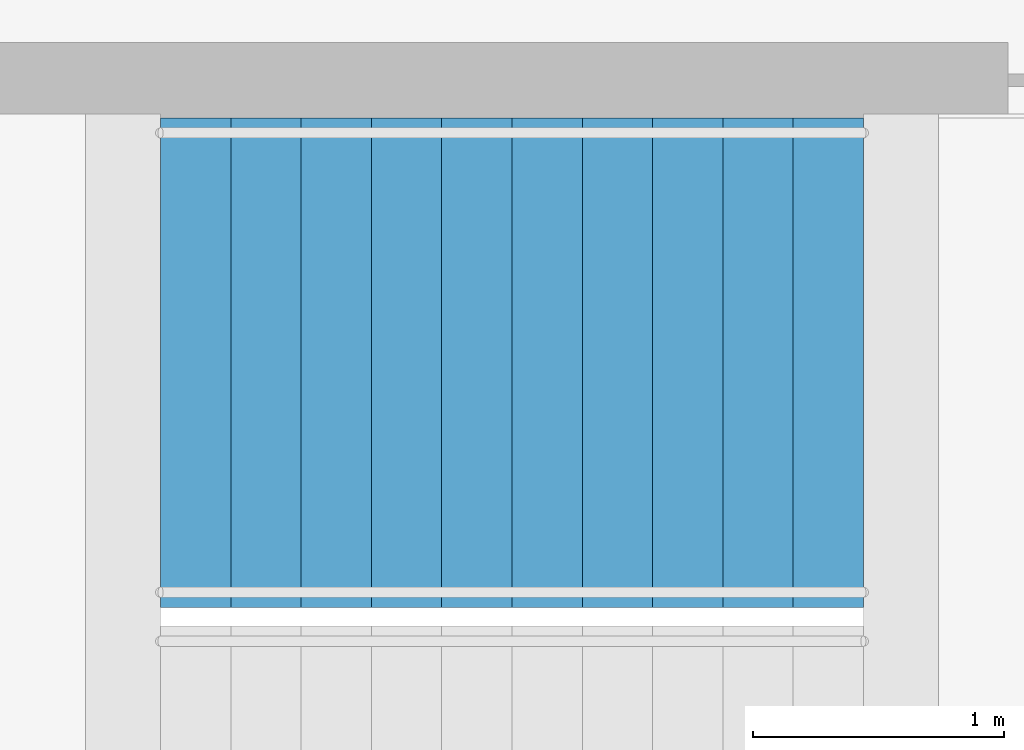
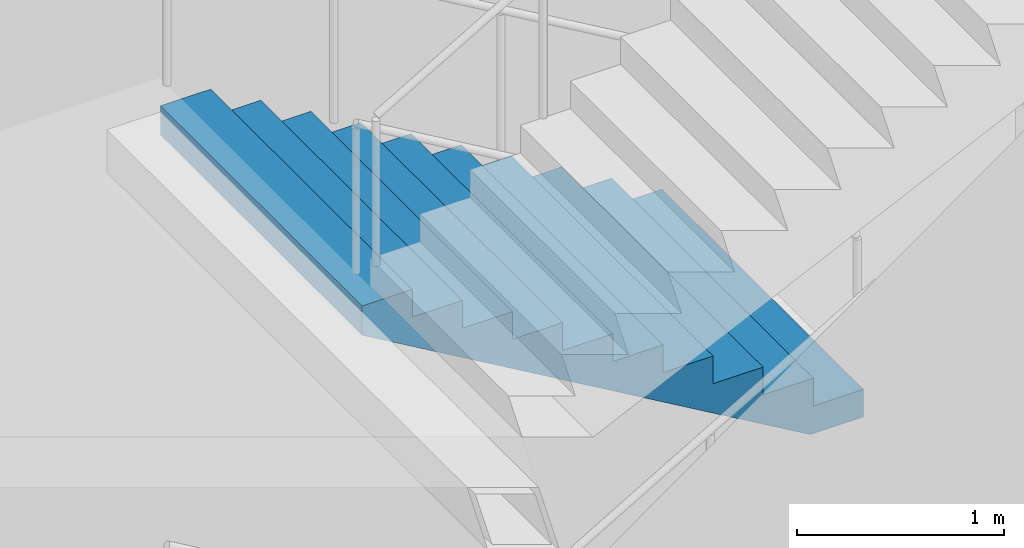
# One storey, part 21 of 22: 1 stair flight, 1 element without a shape of its own.
"""IFC4 building model written with IfcOpenShell, lengths in metres."""

from ifc_helpers import new_model, si_unit, direction, frame, origin, place, context, subcontext, project, spatial, triangles, material, type_object, element, aggregate, save


model = new_model("IFC4")

# Units and contexts
model_context = context("Model", 3, precision=1e-05, world=origin(), true_north=direction((0.0, 1.0)))
body_context = subcontext(model_context, "Body", "Model", "MODEL_VIEW")
ifc_project = project(units=[si_unit("LENGTHUNIT", "METRE"), si_unit("AREAUNIT", "SQUARE_METRE"), si_unit("VOLUMEUNIT", "CUBIC_METRE"), si_unit("PLANEANGLEUNIT", "RADIAN"), si_unit("MASSUNIT", "GRAM", prefix="KILO")], contexts=[model_context])

# Site, building, storey
site_placement = place(None, origin())
site = spatial("IfcSite", under=ifc_project, at=site_placement, CompositionType="ELEMENT")
building_placement = place(site_placement, origin())
building = spatial("IfcBuilding", under=site, at=building_placement, Name="Orbita Commons", CompositionType="ELEMENT")
storey_placement = place(building_placement, frame((0.0, 0.0, 133.14990234375)))
storey = spatial("IfcBuildingStorey", under=building, at=storey_placement, Name="L33", CompositionType="ELEMENT", Elevation=133.14990234375)

# Stair, stair flight
ifc_material_1 = material(Name="Precast concrete C40/50", Category="concrete")
stair_type = type_object("IfcStairType", Name="Exit stair S2 4 flights 11 risers 164", PredefinedType="HALF_TURN_STAIR", material=ifc_material_1)
stair_placement = place(storey_placement, origin())
stair = element("IfcStair", 1, at=stair_placement, inside=storey, type_object=stair_type, Name="Exit stair S2 L33", PredefinedType="HALF_TURN_STAIR")
ifc_material_2 = material(Name="Precast concrete C40/50", Category="concrete")
stair_flight_type = type_object("IfcStairFlightType", Name="Stair flight 11 risers 164 x 280", PredefinedType="STRAIGHT", material=ifc_material_2)
stair_flight_placement = place(storey_placement, frame((63.550048828125, 29.27490234375, 3.60009765625), z_axis=(0.0, 0.0, 1.0), x_axis=(-1.0, 0.0, 0.0)))
stair_flight = element("IfcStairFlight", 2, at=stair_flight_placement, type_object=stair_flight_type, Name="S2 flight 3", NumberOfRisers=11, NumberOfTreads=10, PredefinedType="STRAIGHT", RiserHeight=0.163636364, TreadLength=0.28, context=body_context, shape_type="Tessellation", body=[
    triangles([(0.0, 0.974976, 0.0), (0.0, 0.974976, 0.020455), (0.0, 0.81248, 0.020455), (0.0, 0.81248, 0.0), (0.0, 0.649984, 0.020455), (0.0, 0.649984, 0.0), (0.0, 0.487488, 0.020455), (0.0, 0.487488, 0.0), (0.0, 0.324992, 0.020455), (0.0, 0.324992, 0.0), (0.0, 0.162496, 0.020455), (0.0, 0.162496, 0.0), (0.0, 0.0, 0.020455), (0.0, 0.0, 0.0), (0.0, -0.162496, 0.020455), (0.0, -0.162496, 0.0), (0.0, -0.324992, 0.020455), (0.0, -0.324992, 0.0), (0.0, -0.487488, 0.020455), (0.0, -0.487488, 0.0), (0.0, -0.649984, 0.020455), (0.0, -0.649984, 0.0), (0.0, -0.81248, 0.020455), (0.0, -0.81248, 0.0), (0.0, -0.974976, 0.020455), (0.0, -0.974976, 0.0), (0.0, 0.974976, 0.040909), (0.0, 0.81248, 0.040909), (0.0, 0.649984, 0.040909), (0.0, 0.487488, 0.040909), (0.0, 0.324992, 0.040909), (0.0, 0.162496, 0.040909), (0.0, 0.0, 0.040909), (0.0, -0.162496, 0.040909), (0.0, -0.324992, 0.040909), (0.0, -0.487488, 0.040909), (0.0, -0.649984, 0.040909), (0.0, -0.81248, 0.040909), (0.0, -0.974976, 0.040909), (0.0, 0.974976, 0.061364), (0.0, 0.81248, 0.061364), (0.0, 0.649984, 0.061364), (0.0, 0.487488, 0.061364), (0.0, 0.324992, 0.061364), (0.0, 0.162496, 0.061364), (0.0, 0.0, 0.061364), (0.0, -0.162496, 0.061364), (0.0, -0.324992, 0.061364), (0.0, -0.487488, 0.061364), (0.0, -0.649984, 0.061364), (0.0, -0.81248, 0.061364), (0.0, -0.974976, 0.061364), (0.0, 0.974976, 0.081818), (0.0, 0.81248, 0.081818), (0.0, 0.649984, 0.081818), (0.0, 0.487488, 0.081818), (0.0, 0.324992, 0.081818), (0.0, 0.162496, 0.081818), (0.0, 0.0, 0.081818), (0.0, -0.162496, 0.081818), (0.0, -0.324992, 0.081818), (0.0, -0.487488, 0.081818), (0.0, -0.649984, 0.081818), (0.0, -0.81248, 0.081818), (0.0, -0.974976, 0.081818), (0.0, 0.974976, 0.102273), (0.0, 0.81248, 0.102273), (0.0, 0.649984, 0.102273), (0.0, 0.487488, 0.102273), (0.0, 0.324992, 0.102273), (0.0, 0.162496, 0.102273), (0.0, 0.0, 0.102273), (0.0, -0.162496, 0.102273), (0.0, -0.324992, 0.102273), (0.0, -0.487488, 0.102273), (0.0, -0.649984, 0.102273), (0.0, -0.81248, 0.102273), (0.0, -0.974976, 0.102273), (0.0, 0.974976, 0.122727), (0.0, 0.81248, 0.122727), (0.0, 0.649984, 0.122727), (0.0, 0.487488, 0.122727), (0.0, 0.324992, 0.122727), (0.0, 0.162496, 0.122727), (0.0, 0.0, 0.122727), (0.0, -0.162496, 0.122727), (0.0, -0.324992, 0.122727), (0.0, -0.487488, 0.122727), (0.0, -0.649984, 0.122727), (0.0, -0.81248, 0.122727), (0.0, -0.974976, 0.122727), (0.0, 0.974976, 0.143182), (0.0, 0.81248, 0.143182), (0.0, 0.649984, 0.143182), (0.0, 0.487488, 0.143182), (0.0, 0.324992, 0.143182), (0.0, 0.162496, 0.143182), (0.0, 0.0, 0.143182), (0.0, -0.162496, 0.143182), (0.0, -0.324992, 0.143182), (0.0, -0.487488, 0.143182), (0.0, -0.649984, 0.143182), (0.0, -0.81248, 0.143182), (0.0, -0.974976, 0.143182), (0.0, 0.974976, 0.163636), (0.0, 0.81248, 0.163636), (0.0, 0.649984, 0.163636), (0.0, 0.487488, 0.163636), (0.0, 0.324992, 0.163636), (0.0, 0.162496, 0.163636), (0.0, 0.0, 0.163636), (0.0, -0.162496, 0.163636), (0.0, -0.324992, 0.163636), (0.0, -0.487488, 0.163636), (0.0, -0.649984, 0.163636), (0.0, -0.81248, 0.163636), (0.0, -0.974976, 0.163636), (0.28, 0.974976, 0.163636), (0.28, 0.81248, 0.163636), (0.28, 0.649984, 0.163636), (0.28, 0.487488, 0.163636), (0.28, 0.324992, 0.163636), (0.28, 0.162496, 0.163636), (0.28, 0.0, 0.163636), (0.28, -0.162496, 0.163636), (0.28, -0.324992, 0.163636), (0.28, -0.487488, 0.163636), (0.28, -0.649984, 0.163636), (0.28, -0.81248, 0.163636), (0.28, -0.974976, 0.163636), (0.28, 0.974976, 0.327273), (0.28, 0.81248, 0.327273), (0.28, 0.649984, 0.327273), (0.28, 0.487488, 0.327273), (0.28, 0.324992, 0.327273), (0.28, 0.162496, 0.327273), (0.28, 0.0, 0.327273), (0.28, -0.162496, 0.327273), (0.28, -0.324992, 0.327273), (0.28, -0.487488, 0.327273), (0.28, -0.649984, 0.327273), (0.28, -0.81248, 0.327273), (0.28, -0.974976, 0.327273), (0.56, 0.974976, 0.327273), (0.56, 0.81248, 0.327273), (0.56, 0.649984, 0.327273), (0.56, 0.487488, 0.327273), (0.56, 0.324992, 0.327273), (0.56, 0.162496, 0.327273), (0.56, 0.0, 0.327273), (0.56, -0.162496, 0.327273), (0.56, -0.324992, 0.327273), (0.56, -0.487488, 0.327273), (0.56, -0.649984, 0.327273), (0.56, -0.81248, 0.327273), (0.56, -0.974976, 0.327273), (0.56, 0.974976, 0.490909), (0.56, 0.81248, 0.490909), (0.56, 0.649984, 0.490909), (0.56, 0.487488, 0.490909), (0.56, 0.324992, 0.490909), (0.56, 0.162496, 0.490909), (0.56, 0.0, 0.490909), (0.56, -0.162496, 0.490909), (0.56, -0.324992, 0.490909), (0.56, -0.487488, 0.490909), (0.56, -0.649984, 0.490909), (0.56, -0.81248, 0.490909), (0.56, -0.974976, 0.490909), (0.84, 0.974976, 0.490909), (0.84, 0.81248, 0.490909), (0.84, 0.649984, 0.490909), (0.84, 0.487488, 0.490909), (0.84, 0.324992, 0.490909), (0.84, 0.162496, 0.490909), (0.84, 0.0, 0.490909), (0.84, -0.162496, 0.490909), (0.84, -0.324992, 0.490909), (0.84, -0.487488, 0.490909), (0.84, -0.649984, 0.490909), (0.84, -0.81248, 0.490909), (0.84, -0.974976, 0.490909), (0.84, 0.974976, 0.654545), (0.84, 0.81248, 0.654545), (0.84, 0.649984, 0.654545), (0.84, 0.487488, 0.654545), (0.84, 0.324992, 0.654545), (0.84, 0.162496, 0.654545), (0.84, 0.0, 0.654545), (0.84, -0.162496, 0.654545), (0.84, -0.324992, 0.654545), (0.84, -0.487488, 0.654545), (0.84, -0.649984, 0.654545), (0.84, -0.81248, 0.654545), (0.84, -0.974976, 0.654545), (1.12, 0.974976, 0.654545), (1.12, 0.81248, 0.654545), (1.12, 0.649984, 0.654545), (1.12, 0.487488, 0.654545), (1.12, 0.324992, 0.654545), (1.12, 0.162496, 0.654545), (1.12, 0.0, 0.654545), (1.12, -0.162496, 0.654545), (1.12, -0.324992, 0.654545), (1.12, -0.487488, 0.654545), (1.12, -0.649984, 0.654545), (1.12, -0.81248, 0.654545), (1.12, -0.974976, 0.654545), (1.12, 0.974976, 0.818182), (1.12, 0.81248, 0.818182), (1.12, 0.649984, 0.818182), (1.12, 0.487488, 0.818182), (1.12, 0.324992, 0.818182), (1.12, 0.162496, 0.818182), (1.12, 0.0, 0.818182), (1.12, -0.162496, 0.818182), (1.12, -0.324992, 0.818182), (1.12, -0.487488, 0.818182), (1.12, -0.649984, 0.818182), (1.12, -0.81248, 0.818182), (1.12, -0.974976, 0.818182), (1.4, 0.974976, 0.818182), (1.4, 0.81248, 0.818182), (1.4, 0.649984, 0.818182), (1.4, 0.487488, 0.818182), (1.4, 0.324992, 0.818182), (1.4, 0.162496, 0.818182), (1.4, 0.0, 0.818182), (1.4, -0.162496, 0.818182), (1.4, -0.324992, 0.818182), (1.4, -0.487488, 0.818182), (1.4, -0.649984, 0.818182), (1.4, -0.81248, 0.818182), (1.4, -0.974976, 0.818182), (1.4, 0.974976, 0.981818), (1.4, 0.81248, 0.981818), (1.4, 0.649984, 0.981818), (1.4, 0.487488, 0.981818), (1.4, 0.324992, 0.981818), (1.4, 0.162496, 0.981818), (1.4, 0.0, 0.981818), (1.4, -0.162496, 0.981818), (1.4, -0.324992, 0.981818), (1.4, -0.487488, 0.981818), (1.4, -0.649984, 0.981818), (1.4, -0.81248, 0.981818), (1.4, -0.974976, 0.981818), (1.68, 0.974976, 0.981818), (1.68, 0.81248, 0.981818), (1.68, 0.649984, 0.981818), (1.68, 0.487488, 0.981818), (1.68, 0.324992, 0.981818), (1.68, 0.162496, 0.981818), (1.68, 0.0, 0.981818), (1.68, -0.162496, 0.981818), (1.68, -0.324992, 0.981818), (1.68, -0.487488, 0.981818), (1.68, -0.649984, 0.981818), (1.68, -0.81248, 0.981818), (1.68, -0.974976, 0.981818), (1.68, 0.974976, 1.145455), (1.68, 0.81248, 1.145455), (1.68, 0.649984, 1.145455), (1.68, 0.487488, 1.145455), (1.68, 0.324992, 1.145455), (1.68, 0.162496, 1.145455), (1.68, 0.0, 1.145455), (1.68, -0.162496, 1.145455), (1.68, -0.324992, 1.145455), (1.68, -0.487488, 1.145455), (1.68, -0.649984, 1.145455), (1.68, -0.81248, 1.145455), (1.68, -0.974976, 1.145455), (1.96, 0.974976, 1.145455), (1.96, 0.81248, 1.145455), (1.96, 0.649984, 1.145455), (1.96, 0.487488, 1.145455), (1.96, 0.324992, 1.145455), (1.96, 0.162496, 1.145455), (1.96, 0.0, 1.145455), (1.96, -0.162496, 1.145455), (1.96, -0.324992, 1.145455), (1.96, -0.487488, 1.145455), (1.96, -0.649984, 1.145455), (1.96, -0.81248, 1.145455), (1.96, -0.974976, 1.145455), (1.96, 0.974976, 1.309091), (1.96, 0.81248, 1.309091), (1.96, 0.649984, 1.309091), (1.96, 0.487488, 1.309091), (1.96, 0.324992, 1.309091), (1.96, 0.162496, 1.309091), (1.96, 0.0, 1.309091), (1.96, -0.162496, 1.309091), (1.96, -0.324992, 1.309091), (1.96, -0.487488, 1.309091), (1.96, -0.649984, 1.309091), (1.96, -0.81248, 1.309091), (1.96, -0.974976, 1.309091), (2.24, 0.974976, 1.309091), (2.24, 0.81248, 1.309091), (2.24, 0.649984, 1.309091), (2.24, 0.487488, 1.309091), (2.24, 0.324992, 1.309091), (2.24, 0.162496, 1.309091), (2.24, 0.0, 1.309091), (2.24, -0.162496, 1.309091), (2.24, -0.324992, 1.309091), (2.24, -0.487488, 1.309091), (2.24, -0.649984, 1.309091), (2.24, -0.81248, 1.309091), (2.24, -0.974976, 1.309091), (2.24, 0.974976, 1.472727), (2.24, 0.81248, 1.472727), (2.24, 0.649984, 1.472727), (2.24, 0.487488, 1.472727), (2.24, 0.324992, 1.472727), (2.24, 0.162496, 1.472727), (2.24, 0.0, 1.472727), (2.24, -0.162496, 1.472727), (2.24, -0.324992, 1.472727), (2.24, -0.487488, 1.472727), (2.24, -0.649984, 1.472727), (2.24, -0.81248, 1.472727), (2.24, -0.974976, 1.472727), (2.52, 0.974976, 1.472727), (2.52, 0.81248, 1.472727), (2.52, 0.649984, 1.472727), (2.52, 0.487488, 1.472727), (2.52, 0.324992, 1.472727), (2.52, 0.162496, 1.472727), (2.52, 0.0, 1.472727), (2.52, -0.162496, 1.472727), (2.52, -0.324992, 1.472727), (2.52, -0.487488, 1.472727), (2.52, -0.649984, 1.472727), (2.52, -0.81248, 1.472727), (2.52, -0.974976, 1.472727), (2.52, 0.974976, 1.636364), (2.52, 0.81248, 1.636364), (2.52, 0.649984, 1.636364), (2.52, 0.487488, 1.636364), (2.52, 0.324992, 1.636364), (2.52, 0.162496, 1.636364), (2.52, 0.0, 1.636364), (2.52, -0.162496, 1.636364), (2.52, -0.324992, 1.636364), (2.52, -0.487488, 1.636364), (2.52, -0.649984, 1.636364), (2.52, -0.81248, 1.636364), (2.52, -0.974976, 1.636364), (2.8, 0.974976, 1.636364), (2.8, 0.81248, 1.636364), (2.8, 0.649984, 1.636364), (2.8, 0.487488, 1.636364), (2.8, 0.324992, 1.636364), (2.8, 0.162496, 1.636364), (2.8, 0.0, 1.636364), (2.8, -0.162496, 1.636364), (2.8, -0.324992, 1.636364), (2.8, -0.487488, 1.636364), (2.8, -0.649984, 1.636364), (2.8, -0.81248, 1.636364), (2.8, -0.974976, 1.636364), (2.8, 0.974976, 1.614661), (2.8, 0.81248, 1.614661), (2.8, 0.649984, 1.614661), (2.8, 0.487488, 1.614661), (2.8, 0.324992, 1.614661), (2.8, 0.162496, 1.614661), (2.8, 0.0, 1.614661), (2.8, -0.162496, 1.614661), (2.8, -0.324992, 1.614661), (2.8, -0.487488, 1.614661), (2.8, -0.649984, 1.614661), (2.8, -0.81248, 1.614661), (2.8, -0.974976, 1.614661), (2.8, 0.974976, 1.592958), (2.8, 0.81248, 1.592958), (2.8, 0.649984, 1.592958), (2.8, 0.487488, 1.592958), (2.8, 0.324992, 1.592958), (2.8, 0.162496, 1.592958), (2.8, 0.0, 1.592958), (2.8, -0.162496, 1.592958), (2.8, -0.324992, 1.592958), (2.8, -0.487488, 1.592958), (2.8, -0.649984, 1.592958), (2.8, -0.81248, 1.592958), (2.8, -0.974976, 1.592958), (2.8, 0.974976, 1.571255), (2.8, 0.81248, 1.571255), (2.8, 0.649984, 1.571255), (2.8, 0.487488, 1.571255), (2.8, 0.324992, 1.571255), (2.8, 0.162496, 1.571255), (2.8, 0.0, 1.571255), (2.8, -0.162496, 1.571255), (2.8, -0.324992, 1.571255), (2.8, -0.487488, 1.571255), (2.8, -0.649984, 1.571255), (2.8, -0.81248, 1.571255), (2.8, -0.974976, 1.571255), (2.8, 0.974976, 1.549551), (2.8, 0.81248, 1.549551), (2.8, 0.649984, 1.549551), (2.8, 0.487488, 1.549551), (2.8, 0.324992, 1.549551), (2.8, 0.162496, 1.549551), (2.8, 0.0, 1.549551), (2.8, -0.162496, 1.549551), (2.8, -0.324992, 1.549551), (2.8, -0.487488, 1.549551), (2.8, -0.649984, 1.549551), (2.8, -0.81248, 1.549551), (2.8, -0.974976, 1.549551), (2.8, 0.974976, 1.527848), (2.8, 0.81248, 1.527848), (2.8, 0.649984, 1.527848), (2.8, 0.487488, 1.527848), (2.8, 0.324992, 1.527848), (2.8, 0.162496, 1.527848), (2.8, 0.0, 1.527848), (2.8, -0.162496, 1.527848), (2.8, -0.324992, 1.527848), (2.8, -0.487488, 1.527848), (2.8, -0.649984, 1.527848), (2.8, -0.81248, 1.527848), (2.8, -0.974976, 1.527848), (2.8, 0.974976, 1.506145), (2.8, 0.81248, 1.506145), (2.8, 0.649984, 1.506145), (2.8, 0.487488, 1.506145), (2.8, 0.324992, 1.506145), (2.8, 0.162496, 1.506145), (2.8, 0.0, 1.506145), (2.8, -0.162496, 1.506145), (2.8, -0.324992, 1.506145), (2.8, -0.487488, 1.506145), (2.8, -0.649984, 1.506145), (2.8, -0.81248, 1.506145), (2.8, -0.974976, 1.506145), (2.8, 0.974976, 1.484442), (2.8, 0.81248, 1.484442), (2.8, 0.649984, 1.484442), (2.8, 0.487488, 1.484442), (2.8, 0.324992, 1.484442), (2.8, 0.162496, 1.484442), (2.8, 0.0, 1.484442), (2.8, -0.162496, 1.484442), (2.8, -0.324992, 1.484442), (2.8, -0.487488, 1.484442), (2.8, -0.649984, 1.484442), (2.8, -0.81248, 1.484442), (2.8, -0.974976, 1.484442), (2.8, 0.974976, 1.462739), (2.8, 0.81248, 1.462739), (2.8, 0.649984, 1.462739), (2.8, 0.487488, 1.462739), (2.8, 0.324992, 1.462739), (2.8, 0.162496, 1.462739), (2.8, 0.0, 1.462739), (2.8, -0.162496, 1.462739), (2.8, -0.324992, 1.462739), (2.8, -0.487488, 1.462739), (2.8, -0.649984, 1.462739), (2.8, -0.81248, 1.462739), (2.8, -0.974976, 1.462739), (0.29709, 0.974976, 0.0), (0.29709, 0.81248, 0.0), (0.29709, 0.649984, 0.0), (0.29709, 0.487488, 0.0), (0.29709, 0.324992, 0.0), (0.29709, 0.162496, 0.0), (0.29709, 0.0, 0.0), (0.29709, -0.162496, 0.0), (0.29709, -0.324992, 0.0), (0.29709, -0.487488, 0.0), (0.29709, -0.649984, 0.0), (0.29709, -0.81248, 0.0), (0.29709, -0.974976, 0.0)], [[3, 2, 1], [4, 3, 1], [5, 3, 4], [6, 5, 4], [7, 5, 6], [8, 7, 6], [9, 7, 8], [10, 9, 8], [11, 9, 10], [12, 11, 10], [13, 11, 12], [14, 13, 12], [15, 13, 14], [16, 15, 14], [17, 15, 16], [18, 17, 16], [19, 17, 18], [20, 19, 18], [21, 19, 20], [22, 21, 20], [23, 21, 22], [24, 23, 22], [25, 23, 24], [26, 25, 24], [28, 27, 2], [3, 28, 2], [29, 28, 3], [5, 29, 3], [30, 29, 5], [7, 30, 5], [31, 30, 7], [9, 31, 7], [32, 31, 9], [11, 32, 9], [33, 32, 11], [13, 33, 11], [34, 33, 13], [15, 34, 13], [35, 34, 15], [17, 35, 15], [36, 35, 17], [19, 36, 17], [37, 36, 19], [21, 37, 19], [38, 37, 21], [23, 38, 21], [39, 38, 23], [25, 39, 23], [41, 40, 27], [28, 41, 27], [42, 41, 28], [29, 42, 28], [43, 42, 29], [30, 43, 29], [44, 43, 30], [31, 44, 30], [45, 44, 31], [32, 45, 31], [46, 45, 32], [33, 46, 32], [47, 46, 33], [34, 47, 33], [48, 47, 34], [35, 48, 34], [49, 48, 35], [36, 49, 35], [50, 49, 36], [37, 50, 36], [51, 50, 37], [38, 51, 37], [52, 51, 38], [39, 52, 38], [54, 53, 40], [41, 54, 40], [55, 54, 41], [42, 55, 41], [56, 55, 42], [43, 56, 42], [57, 56, 43], [44, 57, 43], [58, 57, 44], [45, 58, 44], [59, 58, 45], [46, 59, 45], [60, 59, 46], [47, 60, 46], [61, 60, 47], [48, 61, 47], [62, 61, 48], [49, 62, 48], [63, 62, 49], [50, 63, 49], [64, 63, 50], [51, 64, 50], [65, 64, 51], [52, 65, 51], [67, 66, 53], [54, 67, 53], [68, 67, 54], [55, 68, 54], [69, 68, 55], [56, 69, 55], [70, 69, 56], [57, 70, 56], [71, 70, 57], [58, 71, 57], [72, 71, 58], [59, 72, 58], [73, 72, 59], [60, 73, 59], [74, 73, 60], [61, 74, 60], [75, 74, 61], [62, 75, 61], [76, 75, 62], [63, 76, 62], [77, 76, 63], [64, 77, 63], [78, 77, 64], [65, 78, 64], [80, 79, 66], [67, 80, 66], [81, 80, 67], [68, 81, 67], [82, 81, 68], [69, 82, 68], [83, 82, 69], [70, 83, 69], [84, 83, 70], [71, 84, 70], [85, 84, 71], [72, 85, 71], [86, 85, 72], [73, 86, 72], [87, 86, 73], [74, 87, 73], [88, 87, 74], [75, 88, 74], [89, 88, 75], [76, 89, 75], [90, 89, 76], [77, 90, 76], [91, 90, 77], [78, 91, 77], [93, 92, 79], [80, 93, 79], [94, 93, 80], [81, 94, 80], [95, 94, 81], [82, 95, 81], [96, 95, 82], [83, 96, 82], [97, 96, 83], [84, 97, 83], [98, 97, 84], [85, 98, 84], [99, 98, 85], [86, 99, 85], [100, 99, 86], [87, 100, 86], [101, 100, 87], [88, 101, 87], [102, 101, 88], [89, 102, 88], [103, 102, 89], [90, 103, 89], [104, 103, 90], [91, 104, 90], [106, 105, 92], [93, 106, 92], [107, 106, 93], [94, 107, 93], [108, 107, 94], [95, 108, 94], [109, 108, 95], [96, 109, 95], [110, 109, 96], [97, 110, 96], [111, 110, 97], [98, 111, 97], [112, 111, 98], [99, 112, 98], [113, 112, 99], [100, 113, 99], [114, 113, 100], [101, 114, 100], [115, 114, 101], [102, 115, 101], [116, 115, 102], [103, 116, 102], [117, 116, 103], [104, 117, 103], [119, 118, 105], [106, 119, 105], [120, 119, 106], [107, 120, 106], [121, 120, 107], [108, 121, 107], [122, 121, 108], [109, 122, 108], [123, 122, 109], [110, 123, 109], [124, 123, 110], [111, 124, 110], [125, 124, 111], [112, 125, 111], [126, 125, 112], [113, 126, 112], [127, 126, 113], [114, 127, 113], [128, 127, 114], [115, 128, 114], [129, 128, 115], [116, 129, 115], [130, 129, 116], [117, 130, 116], [132, 131, 118], [119, 132, 118], [133, 132, 119], [120, 133, 119], [134, 133, 120], [121, 134, 120], [135, 134, 121], [122, 135, 121], [136, 135, 122], [123, 136, 122], [137, 136, 123], [124, 137, 123], [138, 137, 124], [125, 138, 124], [139, 138, 125], [126, 139, 125], [140, 139, 126], [127, 140, 126], [141, 140, 127], [128, 141, 127], [142, 141, 128], [129, 142, 128], [143, 142, 129], [130, 143, 129], [145, 144, 131], [132, 145, 131], [146, 145, 132], [133, 146, 132], [147, 146, 133], [134, 147, 133], [148, 147, 134], [135, 148, 134], [149, 148, 135], [136, 149, 135], [150, 149, 136], [137, 150, 136], [151, 150, 137], [138, 151, 137], [152, 151, 138], [139, 152, 138], [153, 152, 139], [140, 153, 139], [154, 153, 140], [141, 154, 140], [155, 154, 141], [142, 155, 141], [156, 155, 142], [143, 156, 142], [158, 157, 144], [145, 158, 144], [159, 158, 145], [146, 159, 145], [160, 159, 146], [147, 160, 146], [161, 160, 147], [148, 161, 147], [162, 161, 148], [149, 162, 148], [163, 162, 149], [150, 163, 149], [164, 163, 150], [151, 164, 150], [165, 164, 151], [152, 165, 151], [166, 165, 152], [153, 166, 152], [167, 166, 153], [154, 167, 153], [168, 167, 154], [155, 168, 154], [169, 168, 155], [156, 169, 155], [171, 170, 157], [158, 171, 157], [172, 171, 158], [159, 172, 158], [173, 172, 159], [160, 173, 159], [174, 173, 160], [161, 174, 160], [175, 174, 161], [162, 175, 161], [176, 175, 162], [163, 176, 162], [177, 176, 163], [164, 177, 163], [178, 177, 164], [165, 178, 164], [179, 178, 165], [166, 179, 165], [180, 179, 166], [167, 180, 166], [181, 180, 167], [168, 181, 167], [182, 181, 168], [169, 182, 168], [184, 183, 170], [171, 184, 170], [185, 184, 171], [172, 185, 171], [186, 185, 172], [173, 186, 172], [187, 186, 173], [174, 187, 173], [188, 187, 174], [175, 188, 174], [189, 188, 175], [176, 189, 175], [190, 189, 176], [177, 190, 176], [191, 190, 177], [178, 191, 177], [192, 191, 178], [179, 192, 178], [193, 192, 179], [180, 193, 179], [194, 193, 180], [181, 194, 180], [195, 194, 181], [182, 195, 181], [197, 196, 183], [184, 197, 183], [198, 197, 184], [185, 198, 184], [199, 198, 185], [186, 199, 185], [200, 199, 186], [187, 200, 186], [201, 200, 187], [188, 201, 187], [202, 201, 188], [189, 202, 188], [203, 202, 189], [190, 203, 189], [204, 203, 190], [191, 204, 190], [205, 204, 191], [192, 205, 191], [206, 205, 192], [193, 206, 192], [207, 206, 193], [194, 207, 193], [208, 207, 194], [195, 208, 194], [210, 209, 196], [197, 210, 196], [211, 210, 197], [198, 211, 197], [212, 211, 198], [199, 212, 198], [213, 212, 199], [200, 213, 199], [214, 213, 200], [201, 214, 200], [215, 214, 201], [202, 215, 201], [216, 215, 202], [203, 216, 202], [217, 216, 203], [204, 217, 203], [218, 217, 204], [205, 218, 204], [219, 218, 205], [206, 219, 205], [220, 219, 206], [207, 220, 206], [221, 220, 207], [208, 221, 207], [223, 222, 209], [210, 223, 209], [224, 223, 210], [211, 224, 210], [225, 224, 211], [212, 225, 211], [226, 225, 212], [213, 226, 212], [227, 226, 213], [214, 227, 213], [228, 227, 214], [215, 228, 214], [229, 228, 215], [216, 229, 215], [230, 229, 216], [217, 230, 216], [231, 230, 217], [218, 231, 217], [232, 231, 218], [219, 232, 218], [233, 232, 219], [220, 233, 219], [234, 233, 220], [221, 234, 220], [236, 235, 222], [223, 236, 222], [237, 236, 223], [224, 237, 223], [238, 237, 224], [225, 238, 224], [239, 238, 225], [226, 239, 225], [240, 239, 226], [227, 240, 226], [241, 240, 227], [228, 241, 227], [242, 241, 228], [229, 242, 228], [243, 242, 229], [230, 243, 229], [244, 243, 230], [231, 244, 230], [245, 244, 231], [232, 245, 231], [246, 245, 232], [233, 246, 232], [247, 246, 233], [234, 247, 233], [249, 248, 235], [236, 249, 235], [250, 249, 236], [237, 250, 236], [251, 250, 237], [238, 251, 237], [252, 251, 238], [239, 252, 238], [253, 252, 239], [240, 253, 239], [254, 253, 240], [241, 254, 240], [255, 254, 241], [242, 255, 241], [256, 255, 242], [243, 256, 242], [257, 256, 243], [244, 257, 243], [258, 257, 244], [245, 258, 244], [259, 258, 245], [246, 259, 245], [260, 259, 246], [247, 260, 246], [262, 261, 248], [249, 262, 248], [263, 262, 249], [250, 263, 249], [264, 263, 250], [251, 264, 250], [265, 264, 251], [252, 265, 251], [266, 265, 252], [253, 266, 252], [267, 266, 253], [254, 267, 253], [268, 267, 254], [255, 268, 254], [269, 268, 255], [256, 269, 255], [270, 269, 256], [257, 270, 256], [271, 270, 257], [258, 271, 257], [272, 271, 258], [259, 272, 258], [273, 272, 259], [260, 273, 259], [275, 274, 261], [262, 275, 261], [276, 275, 262], [263, 276, 262], [277, 276, 263], [264, 277, 263], [278, 277, 264], [265, 278, 264], [279, 278, 265], [266, 279, 265], [280, 279, 266], [267, 280, 266], [281, 280, 267], [268, 281, 267], [282, 281, 268], [269, 282, 268], [283, 282, 269], [270, 283, 269], [284, 283, 270], [271, 284, 270], [285, 284, 271], [272, 285, 271], [286, 285, 272], [273, 286, 272], [288, 287, 274], [275, 288, 274], [289, 288, 275], [276, 289, 275], [290, 289, 276], [277, 290, 276], [291, 290, 277], [278, 291, 277], [292, 291, 278], [279, 292, 278], [293, 292, 279], [280, 293, 279], [294, 293, 280], [281, 294, 280], [295, 294, 281], [282, 295, 281], [296, 295, 282], [283, 296, 282], [297, 296, 283], [284, 297, 283], [298, 297, 284], [285, 298, 284], [299, 298, 285], [286, 299, 285], [301, 300, 287], [288, 301, 287], [302, 301, 288], [289, 302, 288], [303, 302, 289], [290, 303, 289], [304, 303, 290], [291, 304, 290], [305, 304, 291], [292, 305, 291], [306, 305, 292], [293, 306, 292], [307, 306, 293], [294, 307, 293], [308, 307, 294], [295, 308, 294], [309, 308, 295], [296, 309, 295], [310, 309, 296], [297, 310, 296], [311, 310, 297], [298, 311, 297], [312, 311, 298], [299, 312, 298], [314, 313, 300], [301, 314, 300], [315, 314, 301], [302, 315, 301], [316, 315, 302], [303, 316, 302], [317, 316, 303], [304, 317, 303], [318, 317, 304], [305, 318, 304], [319, 318, 305], [306, 319, 305], [320, 319, 306], [307, 320, 306], [321, 320, 307], [308, 321, 307], [322, 321, 308], [309, 322, 308], [323, 322, 309], [310, 323, 309], [324, 323, 310], [311, 324, 310], [325, 324, 311], [312, 325, 311], [327, 326, 313], [314, 327, 313], [328, 327, 314], [315, 328, 314], [329, 328, 315], [316, 329, 315], [330, 329, 316], [317, 330, 316], [331, 330, 317], [318, 331, 317], [332, 331, 318], [319, 332, 318], [333, 332, 319], [320, 333, 319], [334, 333, 320], [321, 334, 320], [335, 334, 321], [322, 335, 321], [336, 335, 322], [323, 336, 322], [337, 336, 323], [324, 337, 323], [338, 337, 324], [325, 338, 324], [340, 339, 326], [327, 340, 326], [341, 340, 327], [328, 341, 327], [342, 341, 328], [329, 342, 328], [343, 342, 329], [330, 343, 329], [344, 343, 330], [331, 344, 330], [345, 344, 331], [332, 345, 331], [346, 345, 332], [333, 346, 332], [347, 346, 333], [334, 347, 333], [348, 347, 334], [335, 348, 334], [349, 348, 335], [336, 349, 335], [350, 349, 336], [337, 350, 336], [351, 350, 337], [338, 351, 337], [353, 352, 339], [340, 353, 339], [354, 353, 340], [341, 354, 340], [355, 354, 341], [342, 355, 341], [356, 355, 342], [343, 356, 342], [357, 356, 343], [344, 357, 343], [358, 357, 344], [345, 358, 344], [359, 358, 345], [346, 359, 345], [360, 359, 346], [347, 360, 346], [361, 360, 347], [348, 361, 347], [362, 361, 348], [349, 362, 348], [363, 362, 349], [350, 363, 349], [364, 363, 350], [351, 364, 350], [366, 365, 352], [353, 366, 352], [367, 366, 353], [354, 367, 353], [368, 367, 354], [355, 368, 354], [369, 368, 355], [356, 369, 355], [370, 369, 356], [357, 370, 356], [371, 370, 357], [358, 371, 357], [372, 371, 358], [359, 372, 358], [373, 372, 359], [360, 373, 359], [374, 373, 360], [361, 374, 360], [375, 374, 361], [362, 375, 361], [376, 375, 362], [363, 376, 362], [377, 376, 363], [364, 377, 363], [379, 378, 365], [366, 379, 365], [380, 379, 366], [367, 380, 366], [381, 380, 367], [368, 381, 367], [382, 381, 368], [369, 382, 368], [383, 382, 369], [370, 383, 369], [384, 383, 370], [371, 384, 370], [385, 384, 371], [372, 385, 371], [386, 385, 372], [373, 386, 372], [387, 386, 373], [374, 387, 373], [388, 387, 374], [375, 388, 374], [389, 388, 375], [376, 389, 375], [390, 389, 376], [377, 390, 376], [392, 391, 378], [379, 392, 378], [393, 392, 379], [380, 393, 379], [394, 393, 380], [381, 394, 380], [395, 394, 381], [382, 395, 381], [396, 395, 382], [383, 396, 382], [397, 396, 383], [384, 397, 383], [398, 397, 384], [385, 398, 384], [399, 398, 385], [386, 399, 385], [400, 399, 386], [387, 400, 386], [401, 400, 387], [388, 401, 387], [402, 401, 388], [389, 402, 388], [403, 402, 389], [390, 403, 389], [405, 404, 391], [392, 405, 391], [406, 405, 392], [393, 406, 392], [407, 406, 393], [394, 407, 393], [408, 407, 394], [395, 408, 394], [409, 408, 395], [396, 409, 395], [410, 409, 396], [397, 410, 396], [411, 410, 397], [398, 411, 397], [412, 411, 398], [399, 412, 398], [413, 412, 399], [400, 413, 399], [414, 413, 400], [401, 414, 400], [415, 414, 401], [402, 415, 401], [416, 415, 402], [403, 416, 402], [418, 417, 404], [405, 418, 404], [419, 418, 405], [406, 419, 405], [420, 419, 406], [407, 420, 406], [421, 420, 407], [408, 421, 407], [422, 421, 408], [409, 422, 408], [423, 422, 409], [410, 423, 409], [424, 423, 410], [411, 424, 410], [425, 424, 411], [412, 425, 411], [426, 425, 412], [413, 426, 412], [427, 426, 413], [414, 427, 413], [428, 427, 414], [415, 428, 414], [429, 428, 415], [416, 429, 415], [431, 430, 417], [418, 431, 417], [432, 431, 418], [419, 432, 418], [433, 432, 419], [420, 433, 419], [434, 433, 420], [421, 434, 420], [435, 434, 421], [422, 435, 421], [436, 435, 422], [423, 436, 422], [437, 436, 423], [424, 437, 423], [438, 437, 424], [425, 438, 424], [439, 438, 425], [426, 439, 425], [440, 439, 426], [427, 440, 426], [441, 440, 427], [428, 441, 427], [442, 441, 428], [429, 442, 428], [444, 443, 430], [431, 444, 430], [445, 444, 431], [432, 445, 431], [446, 445, 432], [433, 446, 432], [447, 446, 433], [434, 447, 433], [448, 447, 434], [435, 448, 434], [449, 448, 435], [436, 449, 435], [450, 449, 436], [437, 450, 436], [451, 450, 437], [438, 451, 437], [452, 451, 438], [439, 452, 438], [453, 452, 439], [440, 453, 439], [454, 453, 440], [441, 454, 440], [455, 454, 441], [442, 455, 441], [457, 456, 443], [444, 457, 443], [458, 457, 444], [445, 458, 444], [459, 458, 445], [446, 459, 445], [460, 459, 446], [447, 460, 446], [461, 460, 447], [448, 461, 447], [462, 461, 448], [449, 462, 448], [463, 462, 449], [450, 463, 449], [464, 463, 450], [451, 464, 450], [465, 464, 451], [452, 465, 451], [466, 465, 452], [453, 466, 452], [467, 466, 453], [454, 467, 453], [468, 467, 454], [455, 468, 454], [470, 469, 456], [457, 470, 456], [471, 470, 457], [458, 471, 457], [472, 471, 458], [459, 472, 458], [473, 472, 459], [460, 473, 459], [474, 473, 460], [461, 474, 460], [475, 474, 461], [462, 475, 461], [476, 475, 462], [463, 476, 462], [477, 476, 463], [464, 477, 463], [478, 477, 464], [465, 478, 464], [479, 478, 465], [466, 479, 465], [480, 479, 466], [467, 480, 466], [481, 480, 467], [468, 481, 467], [4, 1, 469], [470, 4, 469], [6, 4, 470], [471, 6, 470], [8, 6, 471], [472, 8, 471], [10, 8, 472], [473, 10, 472], [12, 10, 473], [474, 12, 473], [14, 12, 474], [475, 14, 474], [16, 14, 475], [476, 16, 475], [18, 16, 476], [477, 18, 476], [20, 18, 477], [478, 20, 477], [22, 20, 478], [479, 22, 478], [24, 22, 479], [480, 24, 479], [26, 24, 480], [481, 26, 480], [456, 469, 1], [26, 481, 468], [443, 456, 1], [26, 468, 455], [430, 443, 1], [26, 455, 442], [417, 430, 1], [26, 442, 429], [404, 417, 1], [26, 429, 416], [391, 404, 1], [26, 416, 403], [378, 391, 1], [26, 403, 390], [365, 378, 1], [26, 390, 377], [339, 352, 365], [377, 364, 351], [326, 339, 365], [377, 351, 338], [300, 313, 326], [338, 325, 312], [300, 326, 365], [377, 338, 312], [274, 287, 300], [312, 299, 286], [274, 300, 365], [377, 312, 286], [248, 261, 274], [286, 273, 260], [248, 274, 365], [377, 286, 260], [222, 235, 248], [260, 247, 234], [222, 248, 365], [377, 260, 234], [196, 209, 222], [234, 221, 208], [196, 222, 365], [377, 234, 208], [170, 183, 196], [208, 195, 182], [170, 196, 365], [377, 208, 182], [144, 157, 170], [182, 169, 156], [144, 170, 365], [377, 182, 156], [118, 131, 144], [156, 143, 130], [118, 144, 365], [377, 156, 130], [118, 365, 1], [26, 377, 130], [92, 105, 118], [130, 117, 104], [79, 92, 118], [130, 104, 91], [66, 79, 118], [130, 91, 78], [53, 66, 118], [130, 78, 65], [40, 53, 118], [130, 65, 52], [27, 40, 118], [130, 52, 39], [2, 27, 118], [130, 39, 25], [1, 2, 118], [130, 25, 26]], closed=True),
])
aggregate(stair, [stair_flight])

save(model, "model.ifc")
